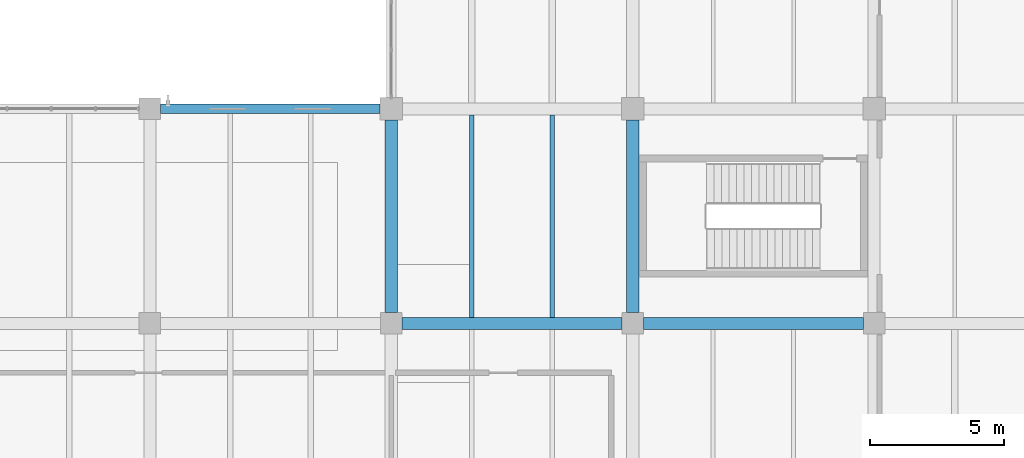
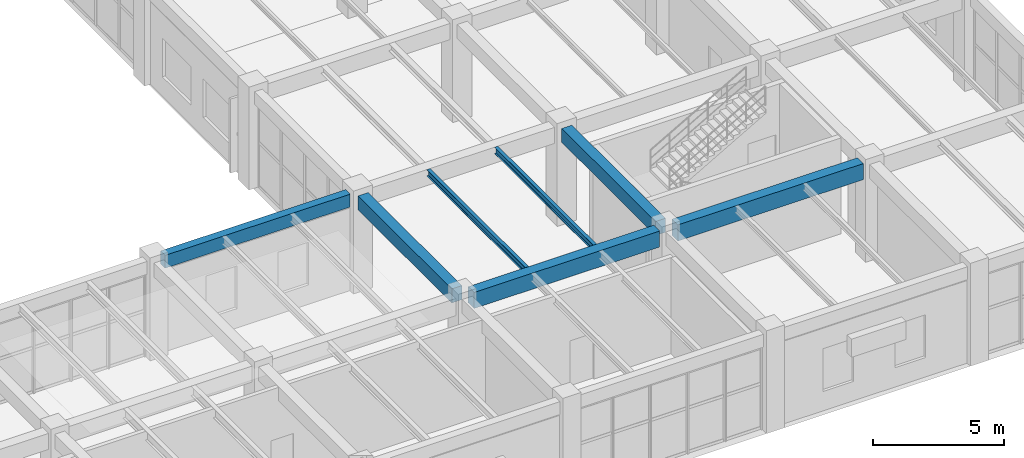
# One storey, part 114 of 178: 7 beams.
"""IFC4 building model written with IfcOpenShell, lengths in metres."""

from ifc_helpers import new_model, si_unit, derived_unit, direction, frame, origin, origin_2d, place, context, subcontext, project, spatial, rectangle, i_section, extrude, material, material_profile, profile_set, type_object, element, save


model = new_model("IFC4")

# Units and contexts
model_context = context("Model", 3, precision=1e-05, world=origin(), true_north=direction((0.0, 1.0)))
body_context = subcontext(model_context, "Body", "Model", "MODEL_VIEW")
ifc_project = project(units=[si_unit("LENGTHUNIT", "METRE"), si_unit("AREAUNIT", "SQUARE_METRE"), si_unit("VOLUMEUNIT", "CUBIC_METRE"), si_unit("PLANEANGLEUNIT", "RADIAN"), si_unit("MASSUNIT", "GRAM", prefix="KILO"), derived_unit("THERMALTRANSMITTANCEUNIT", [(si_unit("MASSUNIT", "GRAM", prefix="KILO"), 1), (si_unit("TIMEUNIT", "SECOND"), -3), (si_unit("THERMODYNAMICTEMPERATUREUNIT", "KELVIN"), -1)])], contexts=[model_context])

# Site, building, storey
site_placement = place(None, origin())
site = spatial("IfcSite", under=ifc_project, at=site_placement, CompositionType="ELEMENT")
building_placement = place(site_placement, origin())
building = spatial("IfcBuilding", under=site, at=building_placement, Name="Zhenchuan Archway Interchange", CompositionType="ELEMENT")
storey_placement = place(building_placement, frame((0.0, 0.0, 5.39990234375)))
storey = spatial("IfcBuildingStorey", under=building, at=storey_placement, Name="L01", CompositionType="ELEMENT", Elevation=5.39990234375)

# Beams
ifc_material_1 = material(Name="Concrete C40", Category="concrete")
ifc_material_profile_1 = material_profile(ifc_material_1, rectangle(XDim=0.449951171875, YDim=0.64990234375, at=origin_2d()), Name="RC 450x650")
ifc_profile_set_1 = profile_set([ifc_material_profile_1], Name="Concrete C40")
beam_type_1 = type_object("IfcBeamType", Name="BM_RC_450x650", PredefinedType="BEAM", material=ifc_profile_set_1)
for number, where, z_axis, x_axis, name in (
    (1, (144.0, 16.39990234375, 4.18505859375), (0.0, 1.0, 0.0), (-1.0, 0.0, 0.0), "Beam 17:C-D (L01)"),
    (2, (153.0, 16.39990234375, 4.18505859375), (0.0, 1.0, 0.0), (-1.0, 0.0, 0.0), "Beam 18:C-D (L01)"),
):
    element("IfcBeam", number, at=place(storey_placement, frame(where, z_axis=z_axis, x_axis=x_axis)), inside=storey, type_object=beam_type_1, Name=name, PredefinedType="BEAM", context=body_context, shape_type="SweptSolid", body=[
        extrude(rectangle(XDim=0.449951171875, YDim=0.64990234375, at=origin_2d()), origin(), (0.0, 0.0, 1.0), 7.175048828125),
    ])
ifc_material_profile_2 = material_profile(ifc_material_1, rectangle(XDim=0.449951171875, YDim=0.75, at=origin_2d()), Name="RC 450x750")
ifc_profile_set_2 = profile_set([ifc_material_profile_2], Name="Concrete C40")
beam_type_2 = type_object("IfcBeamType", Name="BM_RC_450x750", PredefinedType="BEAM", material=ifc_profile_set_2)
for number, where, z_axis, x_axis, name in (
    (3, (144.39990234375, 16.0, 4.135009765625), (1.0, 0.0, 0.0), (0.0, 1.0, 0.0), "Beam C:17-18 (L01)"),
    (4, (153.39990234375, 16.0, 4.135009765625), (1.0, 0.0, 0.0), (0.0, 1.0, 0.0), "Beam C:18-19 (L01)"),
):
    element("IfcBeam", number, at=place(storey_placement, frame(where, z_axis=z_axis, x_axis=x_axis)), inside=storey, type_object=beam_type_2, Name=name, PredefinedType="BEAM", context=body_context, shape_type="SweptSolid", body=[
        extrude(rectangle(XDim=0.449951171875, YDim=0.75, at=origin_2d()), origin(), (0.0, 0.0, 1.0), 8.2001953125),
    ])
ifc_material_2 = material(Name="Steel Q355", Category="steel")
ifc_material_profile_3 = material_profile(ifc_material_2, i_section(OverallWidth=0.14990234375, OverallDepth=0.300048828125, WebThickness=0.006591796875, FlangeThickness=0.009033203125, FilletRadius=0.012939453125, at=origin_2d()), Name="HN 300x150")
ifc_profile_set_3 = profile_set([ifc_material_profile_3], Name="Steel Q355")
beam_type_3 = type_object("IfcBeamType", Name="JST_STL_HN300", PredefinedType="JOIST", material=ifc_profile_set_3)
for number, where, z_axis, x_axis, name in (
    (5, (147.0, 16.22509765625, 4.360107421875), (0.0, 1.0, 0.0), (-1.0, 0.0, 0.0), "Secondary joist 17-18/C-D #1 (L01)"),
    (6, (150.0, 16.22509765625, 4.360107421875), (0.0, 1.0, 0.0), (-1.0, 0.0, 0.0), "Secondary joist 17-18/C-D #2 (L01)"),
):
    element("IfcBeam", number, at=place(storey_placement, frame(where, z_axis=z_axis, x_axis=x_axis)), inside=storey, type_object=beam_type_3, Name=name, PredefinedType="JOIST", context=body_context, shape_type="SweptSolid", body=[
        extrude(i_section(OverallWidth=0.14990234375, OverallDepth=0.300048828125, WebThickness=0.006591796875, FlangeThickness=0.009033203125, FilletRadius=0.012939453125, at=origin_2d()), origin(), (0.0, 0.0, 1.0), 7.5498046875),
    ])
ifc_material_profile_4 = material_profile(ifc_material_1, rectangle(XDim=0.35009765625, YDim=0.60009765625, at=origin_2d()), Name="RC 350x600")
ifc_profile_set_4 = profile_set([ifc_material_profile_4], Name="Concrete C40")
beam_type_4 = type_object("IfcBeamType", Name="SP_RC_350x600", PredefinedType="SPANDREL", material=ifc_profile_set_4)
beam_placement = place(storey_placement, frame((135.39990234375, 24.0, 4.210205078125), z_axis=(1.0, 0.0, 0.0), x_axis=(0.0, 1.0, 0.0)))
element("IfcBeam", 7, at=beam_placement, inside=storey, type_object=beam_type_4, Name="Beam D:16-17 (L01)", PredefinedType="SPANDREL", context=body_context, shape_type="SweptSolid", body=[
    extrude(rectangle(XDim=0.35009765625, YDim=0.60009765625, at=origin_2d()), origin(), (0.0, 0.0, 1.0), 8.175048828125),
])

save(model, "model.ifc")
